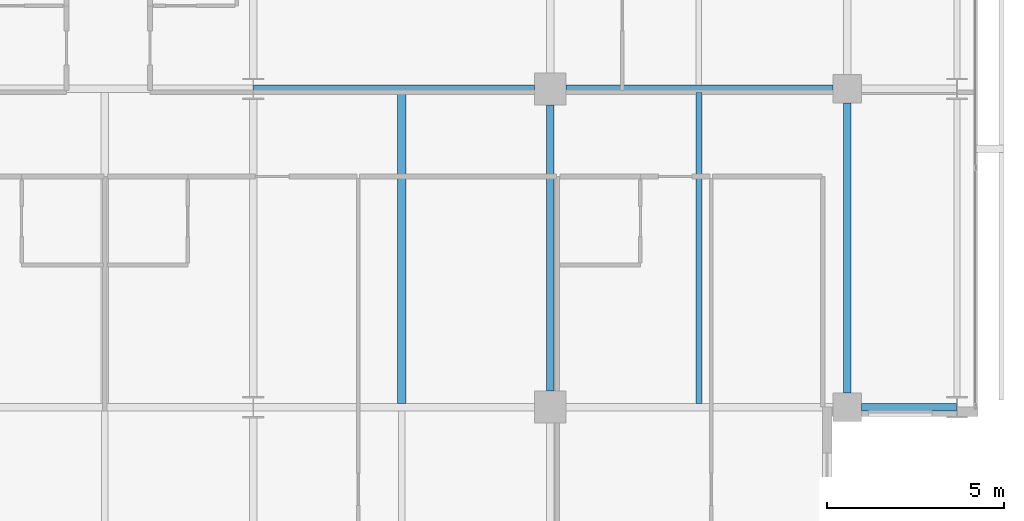
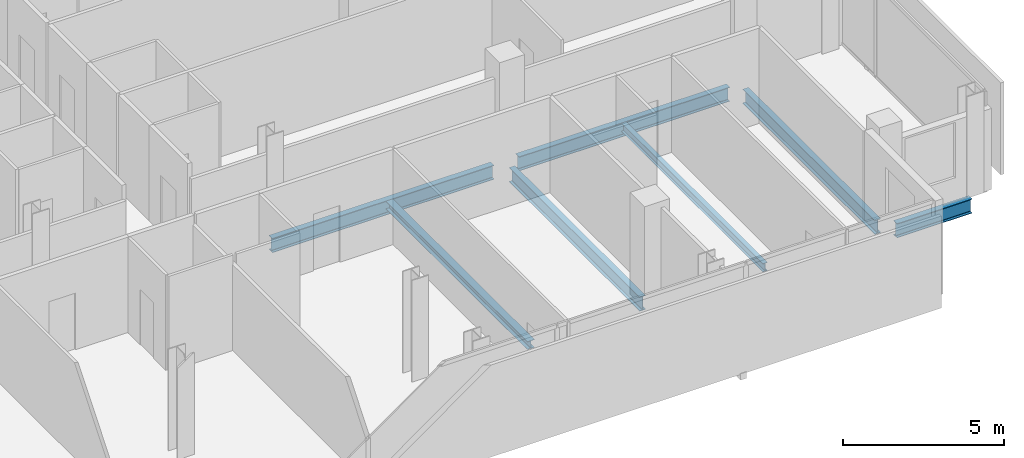
# One storey, part 14 of 34: 7 beams.
"""IFC4 building model written with IfcOpenShell, lengths in metres."""

from ifc_helpers import new_model, si_unit, direction, frame, origin, origin_2d, place, context, subcontext, project, spatial, i_section, extrude, material, material_profile, profile_set, type_object, element, save


model = new_model("IFC4")

# Units and contexts
model_context = context("Model", 3, precision=1e-05, world=origin(), true_north=direction((0.0, 1.0)))
body_context = subcontext(model_context, "Body", "Model", "MODEL_VIEW")
ifc_project = project(units=[si_unit("LENGTHUNIT", "METRE"), si_unit("AREAUNIT", "SQUARE_METRE"), si_unit("VOLUMEUNIT", "CUBIC_METRE"), si_unit("PLANEANGLEUNIT", "RADIAN"), si_unit("MASSUNIT", "GRAM", prefix="KILO")], contexts=[model_context])

# Site, building, storey
site_placement = place(None, origin())
site = spatial("IfcSite", under=ifc_project, at=site_placement, CompositionType="ELEMENT")
building_placement = place(site_placement, origin())
building = spatial("IfcBuilding", under=site, at=building_placement, Name="Maruvema Waterfront Hotel and Observation Tower", CompositionType="ELEMENT")
storey_placement = place(building_placement, frame((0.0, 0.0, 215.949951171875)))
storey = spatial("IfcBuildingStorey", under=building, at=storey_placement, Name="L53", CompositionType="ELEMENT", Elevation=215.949951171875)

# Beams
ifc_material_1 = material(Name="Steel ASTM A572 Grade 50", Category="steel")
ifc_material_profile_1 = material_profile(ifc_material_1, i_section(OverallWidth=0.2109375, OverallDepth=0.5390625, WebThickness=0.01171875, FlangeThickness=0.018798828125, FilletRadius=0.014892578125, at=origin_2d()), Name="W530x109.0")
ifc_profile_set_1 = profile_set([ifc_material_profile_1], Name="Steel ASTM A572 Grade 50")
beam_type_1 = type_object("IfcBeamType", Name="Primary Floor Girder W530x109.0", PredefinedType="BEAM", material=ifc_profile_set_1)
beam_1_placement = place(storey_placement, frame((59.199951171875, 9.0, -0.509521484375), z_axis=(1.0, 0.0, 0.0), x_axis=(0.0, 1.0, 0.0)))
element("IfcBeam", 1, at=beam_1_placement, inside=storey, type_object=beam_type_1, Name="L53 Floor Girder EW-10", PredefinedType="BEAM", context=body_context, shape_type="SweptSolid", body=[
    extrude(i_section(OverallWidth=0.2109375, OverallDepth=0.5390625, WebThickness=0.01171875, FlangeThickness=0.018798828125, FilletRadius=0.014892578125, at=origin_2d()), origin(), (0.0, 0.0, 1.0), 2.6875),
])
beam_2_placement = place(storey_placement, frame((42.012451171875, 18.0, -0.509521484375), z_axis=(1.0, 0.0, 0.0), x_axis=(0.0, 1.0, 0.0)))
element("IfcBeam", 2, at=beam_2_placement, inside=storey, type_object=beam_type_1, Name="L53 Floor Girder EW-15", PredefinedType="BEAM", context=body_context, shape_type="SweptSolid", body=[
    extrude(i_section(OverallWidth=0.2109375, OverallDepth=0.5390625, WebThickness=0.01171875, FlangeThickness=0.018798828125, FilletRadius=0.014892578125, at=origin_2d()), origin(), (0.0, 0.0, 1.0), 7.9375),
])
beam_3_placement = place(storey_placement, frame((50.85009765625, 18.0, -0.509521484375), z_axis=(1.0, 0.0, 0.0), x_axis=(0.0, 1.0, 0.0)))
element("IfcBeam", 3, at=beam_3_placement, inside=storey, type_object=beam_type_1, Name="L53 Floor Girder EW-16", PredefinedType="BEAM", context=body_context, shape_type="SweptSolid", body=[
    extrude(i_section(OverallWidth=0.2109375, OverallDepth=0.5390625, WebThickness=0.01171875, FlangeThickness=0.018798828125, FilletRadius=0.014892578125, at=origin_2d()), origin(), (0.0, 0.0, 1.0), 7.5498046875),
])
beam_4_placement = place(storey_placement, frame((50.39990234375, 9.449951171875, -0.509521484375), z_axis=(0.0, 1.0, 0.0), x_axis=(-1.0, 0.0, 0.0)))
element("IfcBeam", 4, at=beam_4_placement, inside=storey, type_object=beam_type_1, Name="L53 Floor Girder NS-21", PredefinedType="BEAM", context=body_context, shape_type="SweptSolid", body=[
    extrude(i_section(OverallWidth=0.2109375, OverallDepth=0.5390625, WebThickness=0.01171875, FlangeThickness=0.018798828125, FilletRadius=0.014892578125, at=origin_2d()), origin(), (0.0, 0.0, 1.0), 8.10009765625),
])
beam_5_placement = place(storey_placement, frame((58.800048828125, 9.39990234375, -0.509521484375), z_axis=(0.0, 1.0, 0.0), x_axis=(-1.0, 0.0, 0.0)))
element("IfcBeam", 5, at=beam_5_placement, inside=storey, type_object=beam_type_1, Name="L53 Floor Girder NS-25", PredefinedType="BEAM", context=body_context, shape_type="SweptSolid", body=[
    extrude(i_section(OverallWidth=0.2109375, OverallDepth=0.5390625, WebThickness=0.01171875, FlangeThickness=0.018798828125, FilletRadius=0.014892578125, at=origin_2d()), origin(), (0.0, 0.0, 1.0), 8.2001953125),
])
ifc_material_2 = material(Name="Steel ASTM A572 Grade 50", Category="steel")
ifc_material_profile_2 = material_profile(ifc_material_2, i_section(OverallWidth=0.1669921875, OverallDepth=0.31689453125, WebThickness=0.007568359375, FlangeThickness=0.01318359375, FilletRadius=0.012939453125, at=origin_2d()), Name="W310x52.0")
ifc_profile_set_2 = profile_set([ifc_material_profile_2], Name="Steel ASTM A572 Grade 50")
beam_type_2 = type_object("IfcBeamType", Name="Secondary Floor Joist W310x52.0", PredefinedType="JOIST", material=ifc_profile_set_2)
beam_6_placement = place(storey_placement, frame((54.60009765625, 9.10546875, -0.3984375), z_axis=(0.0, 1.0, 0.0), x_axis=(-1.0, 0.0, 0.0)))
element("IfcBeam", 6, at=beam_6_placement, inside=storey, type_object=beam_type_2, Name="L53 Secondary Floor Joist JS-11", PredefinedType="JOIST", context=body_context, shape_type="SweptSolid", body=[
    extrude(i_section(OverallWidth=0.1669921875, OverallDepth=0.31689453125, WebThickness=0.007568359375, FlangeThickness=0.01318359375, FilletRadius=0.012939453125, at=origin_2d()), origin(), (0.0, 0.0, 1.0), 8.7890625),
])
ifc_material_3 = material(Name="Steel ASTM A572 Grade 50", Category="steel")
ifc_material_profile_3 = material_profile(ifc_material_3, i_section(OverallWidth=0.25390625, OverallDepth=0.305908203125, WebThickness=0.0087890625, FlangeThickness=0.0146484375, FilletRadius=0.014892578125, at=origin_2d()), Name="W310x79.0")
ifc_profile_set_3 = profile_set([ifc_material_profile_3], Name="Steel ASTM A572 Grade 50")
beam_type_3 = type_object("IfcBeamType", Name="Secondary Floor Joist W310x79.0", PredefinedType="JOIST", material=ifc_profile_set_3)
beam_7_placement = place(storey_placement, frame((46.199951171875, 9.10546875, -0.39306640625), z_axis=(0.0, 1.0, 0.0), x_axis=(-1.0, 0.0, 0.0)))
element("IfcBeam", 7, at=beam_7_placement, inside=storey, type_object=beam_type_3, Name="L53 Secondary Floor Joist JS-10", PredefinedType="JOIST", context=body_context, shape_type="SweptSolid", body=[
    extrude(i_section(OverallWidth=0.25390625, OverallDepth=0.305908203125, WebThickness=0.0087890625, FlangeThickness=0.0146484375, FilletRadius=0.014892578125, at=origin_2d()), origin(), (0.0, 0.0, 1.0), 8.7890625),
])

save(model, "model.ifc")
